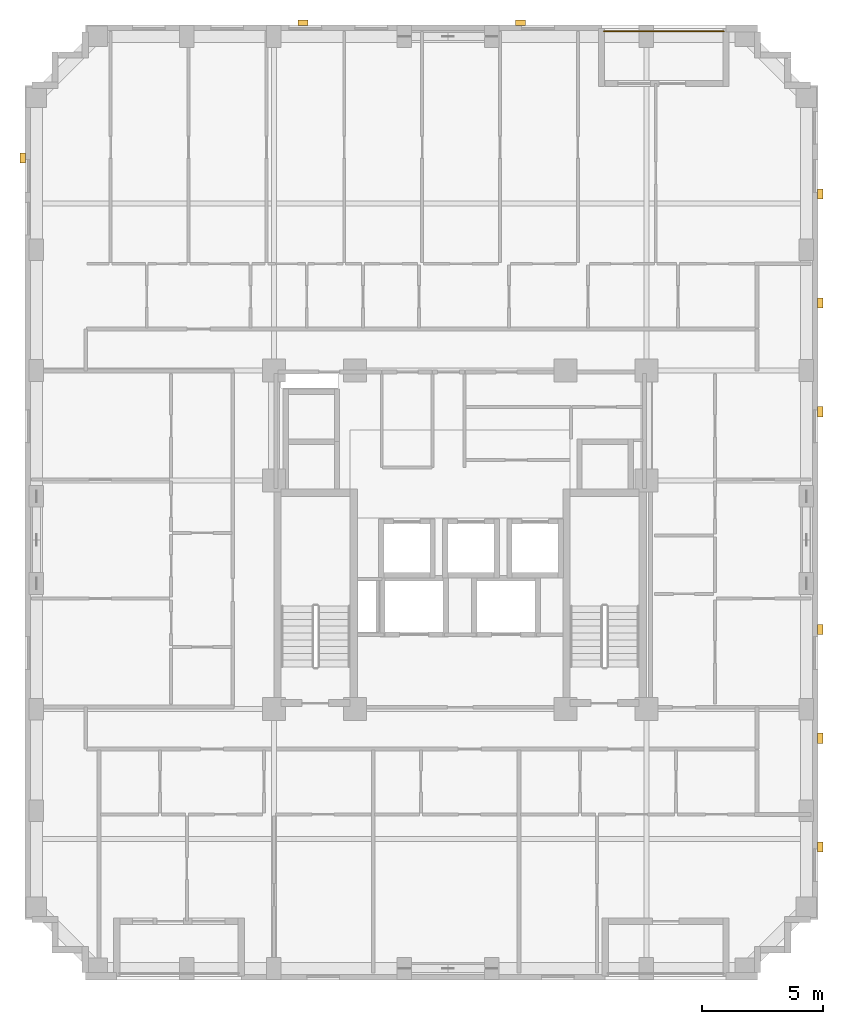
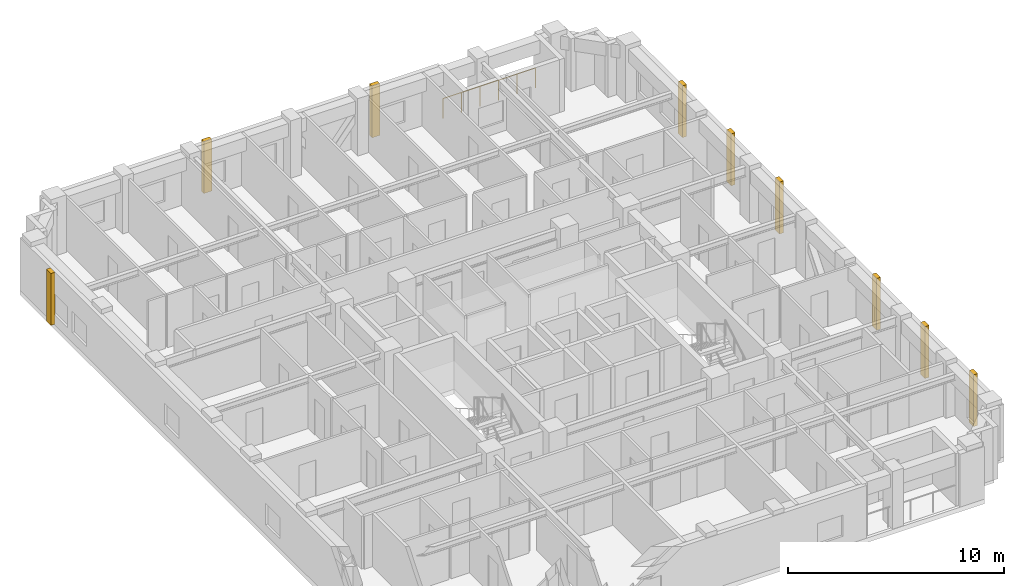
# One storey, part 11 of 11: 9 coverings, 1 railing.
"""IFC4 building model written with IfcOpenShell, lengths in metres."""

from ifc_helpers import new_model, si_unit, derived_unit, direction, frame, origin, origin_2d, place, context, subcontext, project, spatial, rectangle, circle, extrude, material, layer, layer_set, type_object, element, save


model = new_model("IFC4")

# Units and contexts
model_context = context("Model", 3, precision=1e-05, world=origin(), true_north=direction((0.0, 1.0)))
body_context = subcontext(model_context, "Body", "Model", "MODEL_VIEW")
ifc_project = project(units=[si_unit("LENGTHUNIT", "METRE"), si_unit("AREAUNIT", "SQUARE_METRE"), si_unit("VOLUMEUNIT", "CUBIC_METRE"), si_unit("PLANEANGLEUNIT", "RADIAN"), si_unit("MASSUNIT", "GRAM", prefix="KILO"), derived_unit("THERMALTRANSMITTANCEUNIT", [(si_unit("MASSUNIT", "GRAM", prefix="KILO"), 1), (si_unit("TIMEUNIT", "SECOND"), -3), (si_unit("THERMODYNAMICTEMPERATUREUNIT", "KELVIN"), -1)])], contexts=[model_context])

# Site, building, storey
site_placement = place(None, origin())
site = spatial("IfcSite", under=ifc_project, at=site_placement, CompositionType="ELEMENT")
building_placement = place(site_placement, origin())
building = spatial("IfcBuilding", under=site, at=building_placement, Name="Korrvale Station Residences", CompositionType="ELEMENT")
storey_placement = place(building_placement, frame((0.0, 0.0, 156.89990234375)))
storey = spatial("IfcBuildingStorey", under=building, at=storey_placement, Name="L45", CompositionType="ELEMENT", Elevation=156.89990234375)

# Coverings
ifc_material_1 = material(Name="Architectural precast concrete C45/55", Category="concrete")
ifc_layer = layer(ifc_material_1, 0.219970703125, Name="Architectural precast concrete C45/55")
ifc_layer_set = layer_set([ifc_layer], Name="Architectural precast concrete C45/55")
covering_type = type_object("IfcCoveringType", Name="COV-PIER-400", PredefinedType="CLADDING", material=ifc_layer_set)
for number, where, z_axis, x_axis, name in (
    (1, (19.0, 43.389892578125, 0.025146484375), (0.0, 0.0, 1.0), (1.0, 0.0, 0.0), "L45 Architectural Precast Facade Pier 01"),
    (2, (28.0, 43.389892578125, 0.025146484375), (0.0, 0.0, 1.0), (1.0, 0.0, 0.0), "L45 Architectural Precast Facade Pier 02"),
    (3, (7.409912109375, 37.800048828125, 0.025146484375), (0.0, 0.0, 1.0), (0.0, 1.0, 0.0), "L45 Architectural Precast Facade Pier 03"),
    (4, (40.389892578125, 36.300048828125, 0.025146484375), (0.0, 0.0, 1.0), (0.0, 1.0, 0.0), "L45 Architectural Precast Facade Pier 04"),
    (5, (40.389892578125, 31.800048828125, 0.025146484375), (0.0, 0.0, 1.0), (0.0, 1.0, 0.0), "L45 Architectural Precast Facade Pier 05"),
    (6, (40.389892578125, 27.300048828125, 0.025146484375), (0.0, 0.0, 1.0), (0.0, 1.0, 0.0), "L45 Architectural Precast Facade Pier 06"),
    (7, (40.389892578125, 18.300048828125, 0.025146484375), (0.0, 0.0, 1.0), (0.0, 1.0, 0.0), "L45 Architectural Precast Facade Pier 07"),
    (8, (40.389892578125, 13.800048828125, 0.025146484375), (0.0, 0.0, 1.0), (0.0, 1.0, 0.0), "L45 Architectural Precast Facade Pier 08"),
    (9, (40.389892578125, 9.300048828125, 0.025146484375), (0.0, 0.0, 1.0), (0.0, 1.0, 0.0), "L45 Architectural Precast Facade Pier 09"),
):
    element("IfcCovering", number, at=place(storey_placement, frame(where, z_axis=z_axis, x_axis=x_axis)), inside=storey, type_object=covering_type, Name=name, PredefinedType="CLADDING", context=body_context, shape_type="SweptSolid", body=[
        extrude(rectangle(XDim=0.419921875, YDim=0.219970703125, at=origin_2d()), origin(), (0.0, 0.0, 1.0), 2.93994140625),
    ])

# Railing
ifc_material_2 = material(Name="Powder-coated aluminium picket loggia guard", Category="aluminium")
railing_type = type_object("IfcRailingType", Name="RLG-BAL-1150", PredefinedType="GUARDRAIL", material=ifc_material_2)
railing_placement = place(storey_placement, frame((31.449951171875, 43.030029296875, 0.0)))
element("IfcRailing", 10, at=railing_placement, inside=storey, type_object=railing_type, Name="L45 Recessed Loggia Guardrail BAL-L45-N1", PredefinedType="GUARDRAIL", context=body_context, shape_type="SweptSolid", body=[
    extrude(circle(Radius=0.02392578125, at=origin_2d()), frame((0.0, 0.0, 1.1259765625), z_axis=(1.0, 0.0, 0.0), x_axis=(0.0, 1.0, 0.0)), (0.0, 0.0, 1.0), 4.949951171875),
    extrude(circle(Radius=0.02099609375, at=origin_2d()), origin(), (0.0, 0.0, 1.0), 1.101806640625),
    extrude(circle(Radius=0.02099609375, at=origin_2d()), frame((0.989990234375, 0.0, 0.0)), (0.0, 0.0, 1.0), 1.101806640625),
    extrude(circle(Radius=0.02099609375, at=origin_2d()), frame((1.97998046875, 0.0, 0.0)), (0.0, 0.0, 1.0), 1.101806640625),
    extrude(circle(Radius=0.02099609375, at=origin_2d()), frame((2.969970703125, 0.0, 0.0)), (0.0, 0.0, 1.0), 1.101806640625),
    extrude(circle(Radius=0.02099609375, at=origin_2d()), frame((3.9599609375, 0.0, 0.0)), (0.0, 0.0, 1.0), 1.101806640625),
    extrude(circle(Radius=0.02099609375, at=origin_2d()), frame((4.949951171875, 0.0, 0.0)), (0.0, 0.0, 1.0), 1.101806640625),
])

save(model, "model.ifc")
